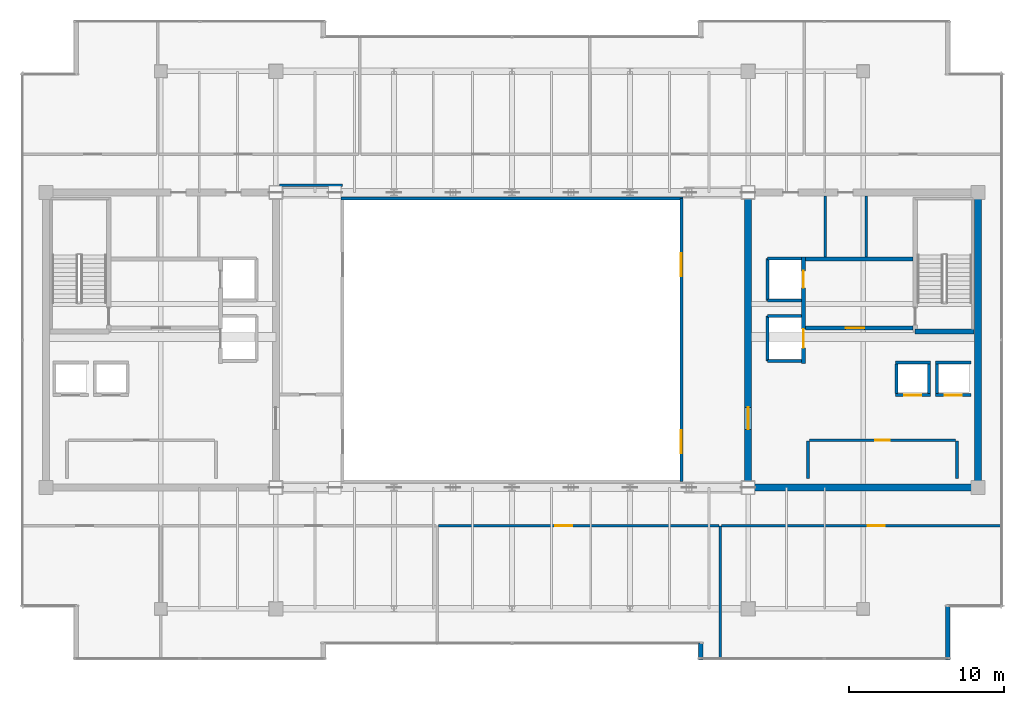
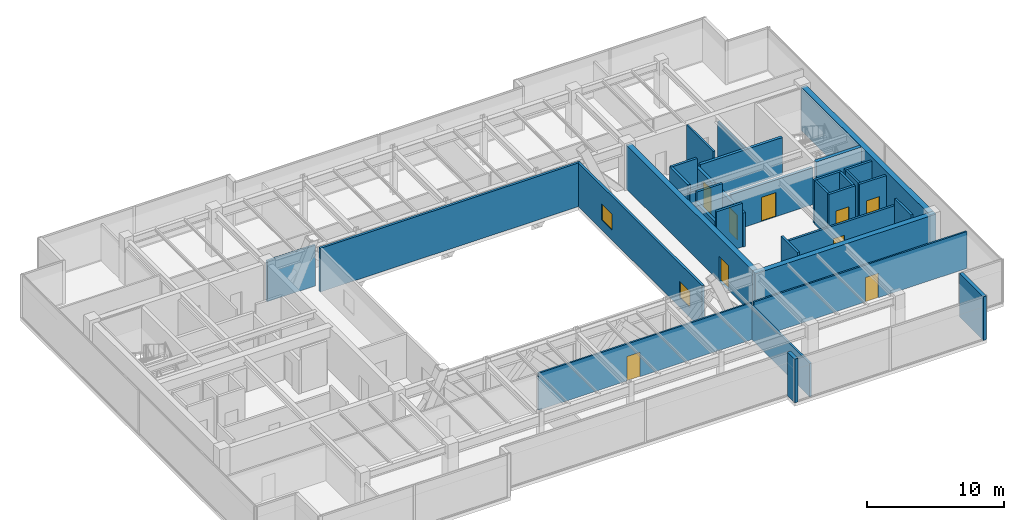
# One storey, part 27 of 32: 33 walls, 9 doors, 2 windows, 11 openings.
"""IFC4 building model written with IfcOpenShell, lengths in metres."""

from ifc_helpers import new_model, si_unit, direction, frame, frame_2d, origin, place, context, subcontext, project, spatial, rectangle, extrude, source, transform, mapped, material, layer, layer_set, type_object, type_shapes, element, fill, save


model = new_model("IFC4")

# Units and contexts
model_context = context("Model", 3, precision=1e-05, world=origin(), true_north=direction((0.0, 1.0)))
body_context = subcontext(model_context, "Body", "Model", "MODEL_VIEW")
ifc_project = project(units=[si_unit("LENGTHUNIT", "METRE"), si_unit("AREAUNIT", "SQUARE_METRE"), si_unit("VOLUMEUNIT", "CUBIC_METRE"), si_unit("PLANEANGLEUNIT", "RADIAN"), si_unit("MASSUNIT", "GRAM", prefix="KILO")], contexts=[model_context])

# Site, building, storey
site_placement = place(None, origin())
site = spatial("IfcSite", under=ifc_project, at=site_placement, CompositionType="ELEMENT")
building_placement = place(site_placement, origin())
building = spatial("IfcBuilding", under=site, at=building_placement, Name="Haelvirn Gate Laboratories", CompositionType="ELEMENT")
storey_placement = place(building_placement, frame((0.0, 0.0, 301.800048828125)))
storey = spatial("IfcBuildingStorey", under=building, at=storey_placement, Name="L72", CompositionType="ELEMENT", Elevation=301.800048828125)

# Walls
ifc_material_1 = material(Name="Thermally-broken bronze aluminium rainscreen & mineral wool", Category="aluminium")
ifc_layer_1 = layer(ifc_material_1, 0.280029296875, Name="EW-TERR-280")
ifc_layer_set_1 = layer_set([ifc_layer_1], Name="Thermally-broken bronze aluminium rainscreen & mineral wool")
wall_type_1 = type_object("IfcWallType", Name="EW-TERR-280", PredefinedType="STANDARD", material=ifc_layer_set_1)
wall_1_placement = place(storey_placement, frame((49.5400390625, 4.79296875, 0.0), z_axis=(0.0, 0.0, 1.0), x_axis=(0.0, -1.0, 0.0)))
element("IfcWall", 1, at=wall_1_placement, inside=storey, type_object=wall_type_1, Name="L72 Atrium Recess Bronze Return Wall 03", PredefinedType="STANDARD", context=body_context, shape_type="SweptSolid", body=[
    extrude(rectangle(XDim=1.093017578125, YDim=0.280029296875, at=frame_2d((0.54638671875, 0.0))), origin(), (0.0, 0.0, 1.0), 3.89990234375),
])
wall_2_placement = place(storey_placement, frame((65.4599609375, 3.699951171875, 0.0), z_axis=(0.0, 0.0, 1.0), x_axis=(0.0, 1.0, 0.0)))
element("IfcWall", 2, at=wall_2_placement, inside=storey, type_object=wall_type_1, Name="L72 Atrium Recess Bronze Return Wall 05", PredefinedType="STANDARD", context=body_context, shape_type="SweptSolid", body=[
    extrude(rectangle(XDim=3.488037109375, YDim=0.280029296875, at=frame_2d((1.744140625, 0.0))), origin(), (0.0, 0.0, 1.0), 3.89990234375),
])
ifc_material_2 = material(Name="Double-layer acoustic gypsum laboratory partition", Category="gypsum")
ifc_layer_2 = layer(ifc_material_2, 0.159912109375, Name="IW-ACOUST-160")
ifc_layer_set_2 = layer_set([ifc_layer_2], Name="Double-layer acoustic gypsum laboratory partition")
wall_type_2 = type_object("IfcWallType", Name="IW-ACOUST-160", PredefinedType="PARTITIONING", material=ifc_layer_set_2)
wall_3_placement = place(storey_placement, frame((50.800048828125, 3.81005859375, 0.0), z_axis=(0.0, 0.0, 1.0), x_axis=(0.0, 1.0, 0.0)))
element("IfcWall", 3, at=wall_3_placement, inside=storey, type_object=wall_type_2, Name="L72 Interior Wall IW-L72-SDIV-03", PredefinedType="PARTITIONING", context=body_context, shape_type="SweptSolid", body=[
    extrude(rectangle(XDim=8.530029296875, YDim=0.159912109375, at=frame_2d((4.26513671875, 0.0))), origin(), (0.0, 0.0, 1.0), 2.98486328125),
])
ifc_material_3 = material(Name="Fire-rated acoustic gypsum board partition", Category="gypsum")
ifc_layer_3 = layer(ifc_material_3, 0.175048828125, Name="IW-ACOUST-180")
ifc_layer_set_3 = layer_set([ifc_layer_3], Name="Fire-rated acoustic gypsum board partition")
wall_type_3 = type_object("IfcWallType", Name="IW-ACOUST-180", PredefinedType="PARTITIONING", material=ifc_layer_set_3)
wall_4_placement = place(storey_placement, frame((22.425048828125, 34.260009765625, 0.0), z_axis=(0.0, 0.0, 1.0), x_axis=(1.0, 0.0, 0.0)))
element("IfcWall", 4, at=wall_4_placement, inside=storey, type_object=wall_type_3, Name="L72 Interior Wall IW-L72-WPOD-N", PredefinedType="PARTITIONING", context=body_context, shape_type="SweptSolid", body=[
    extrude(rectangle(XDim=4.074951171875, YDim=0.175048828125, at=frame_2d((2.03759765625, 0.0))), origin(), (0.0, 0.0, 1.0), 3.635009765625),
])

# Wall, openings, windows
ifc_material_4 = material(Name="Tempered fire-rated borosilicate glass & anodised aluminium", Category="aluminium")
ifc_layer_4 = layer(ifc_material_4, 0.195068359375, Name="IW-GLAZ-200")
ifc_layer_set_4 = layer_set([ifc_layer_4], Name="Tempered fire-rated borosilicate glass & anodised aluminium")
wall_type_4 = type_object("IfcWallType", Name="IW-GLAZ-200", PredefinedType="SOLIDWALL", material=ifc_layer_set_4)
wall_5_placement = place(storey_placement, frame((48.300048828125, 15.199951171875, 0.0), z_axis=(0.0, 0.0, 1.0), x_axis=(0.0, 1.0, 0.0)))
wall_5 = element("IfcWall", 5, at=wall_5_placement, inside=storey, type_object=wall_type_4, Name="L72 Interior Wall IW-L72-ATRIUM-E", PredefinedType="SOLIDWALL", context=body_context, shape_type="SweptSolid", body=[
    extrude(rectangle(XDim=18.199951171875, YDim=0.195068359375, at=frame_2d((9.10009765625, 0.0))), origin(), (0.0, 0.0, 1.0), 3.89990234375),
])
opening_1_placement = place(wall_5_placement, frame((1.800048828125, 0.0, 0.89990234375)))
opening_1 = element("IfcOpeningElement", 6, at=opening_1_placement, cuts=wall_5, Name="Opening W5", PredefinedType="OPENING", context=body_context, shape_type="SweptSolid", body=[
    extrude(rectangle(XDim=1.5, YDim=1.39990234375, at=frame_2d((0.75, 0.699951171875))), frame((0.0, 0.107421875, 0.0), z_axis=(0.0, -1.0, 0.0), x_axis=(1.0, 0.0, 0.0)), (0.0, 0.0, 1.0), 0.215087890625),
])
opening_2_placement = place(wall_5_placement, frame((13.199951171875, 0.0, 0.89990234375)))
opening_2 = element("IfcOpeningElement", 7, at=opening_2_placement, cuts=wall_5, Name="Opening W5", PredefinedType="OPENING", context=body_context, shape_type="SweptSolid", body=[
    extrude(rectangle(XDim=1.5, YDim=1.39990234375, at=frame_2d((0.75, 0.699951171875))), frame((0.0, 0.107421875, 0.0), z_axis=(0.0, -1.0, 0.0), x_axis=(1.0, 0.0, 0.0)), (0.0, 0.0, 1.0), 0.215087890625),
])
ifc_material_5 = material(Name="Fire-rated EI 120 borosilicate atrium vision glazing", Category="glass")
window_type = type_object("IfcWindowType", Name="WN-ATR-1500", PartitioningType="SINGLE_PANEL", PredefinedType="WINDOW", material=ifc_material_5)
shared_shape_1 = source(origin(), body_context, "Body", "SweptSolid", [
    extrude(rectangle(XDim=1.5, YDim=1.39990234375, at=frame_2d((0.75, 0.699951171875))), frame((0.0, 0.030029296875, 0.0), z_axis=(0.0, -1.0, 0.0), x_axis=(1.0, 0.0, 0.0)), (0.0, 0.0, 1.0), 0.06005859375),
])
type_shapes(window_type, [shared_shape_1])
window_1_placement = place(opening_1_placement, origin())
window_1 = element("IfcWindow", 8, at=window_1_placement, inside=storey, type_object=window_type, Name="L72 Atrium Observation Window 1", OverallHeight=1.39990234375, OverallWidth=1.5, PartitioningType="SINGLE_PANEL", PredefinedType="WINDOW", context=body_context, shape_type="MappedRepresentation", body=[
    mapped(shared_shape_1, transform((0.0, 0.0, 0.0), scale=1.0)),
])
fill(opening_1, window_1)
window_2_placement = place(opening_2_placement, origin())
window_2 = element("IfcWindow", 9, at=window_2_placement, inside=storey, type_object=window_type, Name="L72 Atrium Observation Window 2", OverallHeight=1.39990234375, OverallWidth=1.5, PartitioningType="SINGLE_PANEL", PredefinedType="WINDOW", context=body_context, shape_type="MappedRepresentation", body=[
    mapped(shared_shape_1, transform((0.0, 0.0, 0.0), scale=1.0)),
])
fill(opening_2, window_2)

# Wall
wall_6_placement = place(storey_placement, frame((26.39990234375, 33.39990234375, 0.0), z_axis=(0.0, 0.0, 1.0), x_axis=(1.0, 0.0, 0.0)))
element("IfcWall", 10, at=wall_6_placement, inside=storey, type_object=wall_type_4, Name="L72 Interior Wall IW-L72-ATRIUM-N", PredefinedType="SOLIDWALL", context=body_context, shape_type="SweptSolid", body=[
    extrude(rectangle(XDim=22.0, YDim=0.195068359375, at=frame_2d((11.0, 0.0))), origin(), (0.0, 0.0, 1.0), 3.89990234375),
])

# Wall, opening, door
ifc_material_6 = material(Name="Acoustic mineral-wool gypsum board partition", Category="gypsum")
ifc_layer_5 = layer(ifc_material_6, 0.139892578125, Name="IW-PART-140")
ifc_layer_set_5 = layer_set([ifc_layer_5], Name="Acoustic mineral-wool gypsum board partition")
wall_type_5 = type_object("IfcWallType", Name="IW-PART-140", PredefinedType="PARTITIONING", material=ifc_layer_set_5)
wall_7_placement = place(storey_placement, frame((32.679931640625, 12.340087890625, 0.0), z_axis=(0.0, 0.0, 1.0), x_axis=(1.0, 0.0, 0.0)))
wall_7 = element("IfcWall", 11, at=wall_7_placement, inside=storey, type_object=wall_type_5, Name="L72 Interior Wall IW-L72-SCORR-03", PredefinedType="PARTITIONING", context=body_context, shape_type="SweptSolid", body=[
    extrude(rectangle(XDim=18.0400390625, YDim=0.139892578125, at=frame_2d((9.02001953125, 0.0))), origin(), (0.0, 0.0, 1.0), 3.296875),
])
opening_3_placement = place(wall_7_placement, frame((7.49560546875, 0.0, 0.0)))
opening_3 = element("IfcOpeningElement", 12, at=opening_3_placement, cuts=wall_7, Name="Opening D1", PredefinedType="OPENING", context=body_context, shape_type="SweptSolid", body=[
    extrude(rectangle(XDim=1.10009765625, YDim=2.179931640625, at=frame_2d((0.550048828125, 1.08984375))), frame((0.0, 0.080078125, 0.0), z_axis=(0.0, -1.0, 0.0), x_axis=(1.0, 0.0, 0.0)), (0.0, 0.0, 1.0), 0.159912109375),
])
ifc_material_7 = material(Name="Vision-panel acoustic solid-core timber lab door", Category="wood")
door_type_1 = type_object("IfcDoorType", Name="DR-LAB-1100", OperationType="NOTDEFINED", PredefinedType="DOOR", material=ifc_material_7)
shared_shape_2 = source(origin(), body_context, "Body", "SweptSolid", [
    extrude(rectangle(XDim=1.10009765625, YDim=2.179931640625, at=frame_2d((0.550048828125, 1.08984375))), frame((0.0, 0.02490234375, 0.0), z_axis=(0.0, -1.0, 0.0), x_axis=(1.0, 0.0, 0.0)), (0.0, 0.0, 1.0), 0.050048828125),
])
type_shapes(door_type_1, [shared_shape_2])
door_1_placement = place(opening_3_placement, origin())
door_1 = element("IfcDoor", 13, at=door_1_placement, inside=storey, type_object=door_type_1, Name="L72 Bioinformatics Dry-Lab Workspace Door S3", OperationType="SINGLE_SWING_LEFT", OverallHeight=2.179931640625, OverallWidth=1.10009765625, PredefinedType="DOOR", context=body_context, shape_type="MappedRepresentation", body=[
    mapped(shared_shape_2, transform((0.0, 0.0, 0.0), scale=1.0)),
])
fill(opening_3, door_1)

wall_8_placement = place(storey_placement, frame((50.8798828125, 12.340087890625, 0.0), z_axis=(0.0, 0.0, 1.0), x_axis=(1.0, 0.0, 0.0)))
wall_8 = element("IfcWall", 14, at=wall_8_placement, inside=storey, type_object=wall_type_5, Name="L72 Interior Wall IW-L72-SCORR-04", PredefinedType="PARTITIONING", context=body_context, shape_type="SweptSolid", body=[
    extrude(rectangle(XDim=18.010009765625, YDim=0.139892578125, at=frame_2d((9.0048828125, 0.0))), origin(), (0.0, 0.0, 1.0), 3.296875),
])
opening_4_placement = place(wall_8_placement, frame((9.427490234375, 0.0, 0.0)))
opening_4 = element("IfcOpeningElement", 15, at=opening_4_placement, cuts=wall_8, Name="Opening D1", PredefinedType="OPENING", context=body_context, shape_type="SweptSolid", body=[
    extrude(rectangle(XDim=1.10009765625, YDim=2.179931640625, at=frame_2d((0.550048828125, 1.08984375))), frame((0.0, 0.080078125, 0.0), z_axis=(0.0, -1.0, 0.0), x_axis=(1.0, 0.0, 0.0)), (0.0, 0.0, 1.0), 0.159912109375),
])
door_2_placement = place(opening_4_placement, origin())
door_2 = element("IfcDoor", 16, at=door_2_placement, inside=storey, type_object=door_type_1, Name="L72 Translational Data Office Door S4", OperationType="SINGLE_SWING_RIGHT", OverallHeight=2.179931640625, OverallWidth=1.10009765625, PredefinedType="DOOR", context=body_context, shape_type="MappedRepresentation", body=[
    mapped(shared_shape_2, transform((0.0, 0.0, 0.0), scale=1.0)),
])
fill(opening_4, door_2)

# Walls
ifc_material_8 = material(Name="Cement-board restroom plumbing chase wall", Category="gypsum")
ifc_layer_6 = layer(ifc_material_8, 0.155029296875, Name="IW-PLUMB-160")
ifc_layer_set_6 = layer_set([ifc_layer_6], Name="Cement-board restroom plumbing chase wall")
wall_type_6 = type_object("IfcWallType", Name="IW-PLUMB-160", PredefinedType="PLUMBINGWALL", material=ifc_layer_set_6)
wall_9_placement = place(storey_placement, frame((60.18994140625, 29.64990234375, 0.0), z_axis=(0.0, 0.0, 1.0), x_axis=(0.0, 1.0, 0.0)))
element("IfcWall", 17, at=wall_9_placement, inside=storey, type_object=wall_type_6, Name="L72 Interior Wall IW-L72-E-CDIV-0", PredefinedType="PLUMBINGWALL", context=body_context, shape_type="SweptSolid", body=[
    extrude(rectangle(XDim=3.93017578125, YDim=0.155029296875, at=frame_2d((1.965087890625, 0.0))), origin(), (0.0, 0.0, 1.0), 3.296875),
])
wall_10_placement = place(storey_placement, frame((57.56005859375, 29.64990234375, 0.0), z_axis=(0.0, 0.0, 1.0), x_axis=(0.0, 1.0, 0.0)))
element("IfcWall", 18, at=wall_10_placement, inside=storey, type_object=wall_type_6, Name="L72 Interior Wall IW-L72-E-CDIV-1", PredefinedType="PLUMBINGWALL", context=body_context, shape_type="SweptSolid", body=[
    extrude(rectangle(XDim=3.93017578125, YDim=0.155029296875, at=frame_2d((1.965087890625, 0.0))), origin(), (0.0, 0.0, 1.0), 3.89990234375),
])
ifc_material_9 = material(Name="Concrete C40/50", Category="concrete")
ifc_layer_7 = layer(ifc_material_9, 0.179931640625, Name="IW-SHAFT-180")
ifc_layer_set_7 = layer_set([ifc_layer_7], Name="Concrete C40/50")
wall_type_7 = type_object("IfcWallType", Name="IW-SHAFT-180", PredefinedType="SOLIDWALL", material=ifc_layer_set_7)
for number, where, z_axis, x_axis, name in (
    (19, (64.75, 20.85009765625, 0.0), (0.0, 0.0, 1.0), (0.0, 1.0, 0.0), "L72 Interior Wall IW-L72-PL11-SD"),
    (20, (62.14990234375, 20.85009765625, 0.0), (0.0, 0.0, 1.0), (0.0, 1.0, 0.0), "L72 Interior Wall IW-L72-PL12-SD"),
    (21, (64.25, 20.85009765625, 0.0), (0.0, 0.0, 1.0), (0.0, 1.0, 0.0), "L72 Interior Wall IW-L72-PL12-SDE"),
):
    element("IfcWall", number, at=place(storey_placement, frame(where, z_axis=z_axis, x_axis=x_axis)), inside=storey, type_object=wall_type_7, Name=name, PredefinedType="SOLIDWALL", context=body_context, shape_type="SweptSolid", body=[
        extrude(rectangle(XDim=1.89990234375, YDim=0.179931640625, at=frame_2d((0.949951171875, 0.0))), origin(), (0.0, 0.0, 1.0), 3.89990234375),
    ])

# Wall, opening, door
wall_11_placement = place(storey_placement, frame((56.550048828125, 17.85009765625, 0.0), z_axis=(0.0, 0.0, 1.0), x_axis=(1.0, 0.0, 0.0)))
wall_11 = element("IfcWall", 22, at=wall_11_placement, inside=storey, type_object=wall_type_7, Name="L72 Interior Wall IW-L72-E-FREED-HN-1", PredefinedType="SOLIDWALL", context=body_context, shape_type="SweptSolid", body=[
    extrude(rectangle(XDim=9.39990234375, YDim=0.179931640625, at=frame_2d((4.699951171875, 0.0))), origin(), (0.0, 0.0, 1.0), 3.296875),
])
opening_5_placement = place(wall_11_placement, frame((4.22509765625, 0.0, 0.0)))
opening_5 = element("IfcOpeningElement", 23, at=opening_5_placement, cuts=wall_11, Name="Opening FD4", PredefinedType="OPENING", context=body_context, shape_type="SweptSolid", body=[
    extrude(rectangle(XDim=0.949951171875, YDim=2.14990234375, at=frame_2d((0.47509765625, 1.074951171875))), frame((0.0, 0.10009765625, 0.0), z_axis=(0.0, -1.0, 0.0), x_axis=(1.0, 0.0, 0.0)), (0.0, 0.0, 1.0), 0.199951171875),
])
ifc_material_10 = material(Name="Fire-rated steel SM355 core service door", Category="steel")
door_type_2 = type_object("IfcDoorType", Name="DR-FD-950", OperationType="NOTDEFINED", PredefinedType="DOOR", material=ifc_material_10)
shared_shape_3 = source(origin(), body_context, "Body", "SweptSolid", [
    extrude(rectangle(XDim=0.949951171875, YDim=2.14990234375, at=frame_2d((0.47509765625, 1.074951171875))), frame((0.0, 0.02490234375, 0.0), z_axis=(0.0, -1.0, 0.0), x_axis=(1.0, 0.0, 0.0)), (0.0, 0.0, 1.0), 0.050048828125),
])
type_shapes(door_type_2, [shared_shape_3])
door_3_placement = place(opening_5_placement, origin())
door_3 = element("IfcDoor", 24, at=door_3_placement, inside=storey, type_object=door_type_2, Name="L72 Core Metrology & Calibration Laboratory Door", OperationType="SINGLE_SWING_LEFT", OverallHeight=2.14990234375, OverallWidth=0.949951171875, PredefinedType="DOOR", context=body_context, shape_type="MappedRepresentation", body=[
    mapped(shared_shape_3, transform((0.0, 0.0, 0.0), scale=1.0)),
])
fill(opening_5, door_3)

# Walls
for number, where, z_axis, x_axis, name in (
    (25, (56.4599609375, 15.39990234375, 0.0), (0.0, 0.0, 1.0), (0.0, 1.0, 0.0), "L72 Interior Wall IW-L72-E-FREED-HE-1"),
    (26, (66.0400390625, 15.39990234375, 0.0), (0.0, 0.0, 1.0), (0.0, 1.0, 0.0), "L72 Interior Wall IW-L72-E-FREED-HW-1"),
):
    element("IfcWall", number, at=place(storey_placement, frame(where, z_axis=z_axis, x_axis=x_axis)), inside=storey, type_object=wall_type_7, Name=name, PredefinedType="SOLIDWALL", context=body_context, shape_type="SweptSolid", body=[
        extrude(rectangle(XDim=2.400146484375, YDim=0.179931640625, at=frame_2d((1.2001953125, 0.0))), origin(), (0.0, 0.0, 1.0), 3.89990234375),
    ])

# Wall, opening, door
ifc_layer_8 = layer(ifc_material_9, 0.199951171875, Name="IW-SHAFT-200")
ifc_layer_set_8 = layer_set([ifc_layer_8], Name="Concrete C40/50")
wall_type_8 = type_object("IfcWallType", Name="IW-SHAFT-200", PredefinedType="SOLIDWALL", material=ifc_layer_set_8)
wall_12_placement = place(storey_placement, frame((64.669921875, 20.75, 0.0), z_axis=(0.0, 0.0, 1.0), x_axis=(1.0, 0.0, 0.0)))
wall_12 = element("IfcWall", 27, at=wall_12_placement, inside=storey, type_object=wall_type_8, Name="L72 Interior Wall IW-L72-PL11-FR", PredefinedType="SOLIDWALL", context=body_context, shape_type="SweptSolid", body=[
    extrude(rectangle(XDim=2.260009765625, YDim=0.199951171875, at=frame_2d((1.1298828125, 0.0))), origin(), (0.0, 0.0, 1.0), 3.89990234375),
])
opening_6_placement = place(wall_12_placement, frame((0.580078125, 0.0, 0.0)))
opening_6 = element("IfcOpeningElement", 28, at=opening_6_placement, cuts=wall_12, Name="Opening LD2", PredefinedType="OPENING", context=body_context, shape_type="SweptSolid", body=[
    extrude(rectangle(XDim=1.10009765625, YDim=2.219970703125, at=frame_2d((0.550048828125, 1.10986328125))), frame((0.0, 0.10986328125, 0.0), z_axis=(0.0, -1.0, 0.0), x_axis=(1.0, 0.0, 0.0)), (0.0, 0.0, 1.0), 0.219970703125),
])
ifc_material_11 = material(Name="Bronze stainless 316L sliding lift landing door")
door_type_3 = type_object("IfcDoorType", Name="DR-LD-1100", OperationType="NOTDEFINED", PredefinedType="USERDEFINED", material=ifc_material_11)
shared_shape_4 = source(origin(), body_context, "Body", "SweptSolid", [
    extrude(rectangle(XDim=1.10009765625, YDim=2.219970703125, at=frame_2d((0.550048828125, 1.10986328125))), frame((0.0, 0.02490234375, 0.0), z_axis=(0.0, -1.0, 0.0), x_axis=(1.0, 0.0, 0.0)), (0.0, 0.0, 1.0), 0.050048828125),
])
type_shapes(door_type_3, [shared_shape_4])
door_4_placement = place(opening_6_placement, origin())
door_4 = element("IfcDoor", 29, at=door_4_placement, inside=storey, type_object=door_type_3, Name="L72 Passenger Lift PL11 Landing Door", ObjectType="LANDING_DOOR", OperationType="SLIDING_TO_LEFT", OverallHeight=2.219970703125, OverallWidth=1.10009765625, PredefinedType="USERDEFINED", context=body_context, shape_type="MappedRepresentation", body=[
    mapped(shared_shape_4, transform((0.0, 0.0, 0.0), scale=1.0)),
])
fill(opening_6, door_4)

# Wall
wall_13_placement = place(storey_placement, frame((64.669921875, 22.85009765625, 0.0), z_axis=(0.0, 0.0, 1.0), x_axis=(1.0, 0.0, 0.0)))
element("IfcWall", 30, at=wall_13_placement, inside=storey, type_object=wall_type_8, Name="L72 Interior Wall IW-L72-PL11-BK", PredefinedType="SOLIDWALL", context=body_context, shape_type="SweptSolid", body=[
    extrude(rectangle(XDim=2.260009765625, YDim=0.199951171875, at=frame_2d((1.1298828125, 0.0))), origin(), (0.0, 0.0, 1.0), 3.89990234375),
])

# Wall, opening, door
wall_14_placement = place(storey_placement, frame((62.070068359375, 20.75, 0.0), z_axis=(0.0, 0.0, 1.0), x_axis=(1.0, 0.0, 0.0)))
wall_14 = element("IfcWall", 31, at=wall_14_placement, inside=storey, type_object=wall_type_8, Name="L72 Interior Wall IW-L72-PL12-FR", PredefinedType="SOLIDWALL", context=body_context, shape_type="SweptSolid", body=[
    extrude(rectangle(XDim=2.260009765625, YDim=0.199951171875, at=frame_2d((1.1298828125, 0.0))), origin(), (0.0, 0.0, 1.0), 3.89990234375),
])
opening_7_placement = place(wall_14_placement, frame((0.580078125, 0.0, 0.0)))
opening_7 = element("IfcOpeningElement", 32, at=opening_7_placement, cuts=wall_14, Name="Opening LD2", PredefinedType="OPENING", context=body_context, shape_type="SweptSolid", body=[
    extrude(rectangle(XDim=1.10009765625, YDim=2.219970703125, at=frame_2d((0.550048828125, 1.10986328125))), frame((0.0, 0.10986328125, 0.0), z_axis=(0.0, -1.0, 0.0), x_axis=(1.0, 0.0, 0.0)), (0.0, 0.0, 1.0), 0.219970703125),
])
door_5_placement = place(opening_7_placement, origin())
door_5 = element("IfcDoor", 33, at=door_5_placement, inside=storey, type_object=door_type_3, Name="L72 Passenger Lift PL12 Landing Door", ObjectType="LANDING_DOOR", OperationType="SLIDING_TO_RIGHT", OverallHeight=2.219970703125, OverallWidth=1.10009765625, PredefinedType="USERDEFINED", context=body_context, shape_type="MappedRepresentation", body=[
    mapped(shared_shape_4, transform((0.0, 0.0, 0.0), scale=1.0)),
])
fill(opening_7, door_5)

# Walls
wall_15_placement = place(storey_placement, frame((62.070068359375, 22.85009765625, 0.0), z_axis=(0.0, 0.0, 1.0), x_axis=(1.0, 0.0, 0.0)))
element("IfcWall", 34, at=wall_15_placement, inside=storey, type_object=wall_type_8, Name="L72 Interior Wall IW-L72-PL12-BK", PredefinedType="SOLIDWALL", context=body_context, shape_type="SweptSolid", body=[
    extrude(rectangle(XDim=2.260009765625, YDim=0.199951171875, at=frame_2d((1.1298828125, 0.0))), origin(), (0.0, 0.0, 1.0), 3.89990234375),
])
wall_16_placement = place(storey_placement, frame((53.85009765625, 26.85009765625, 0.0), z_axis=(0.0, 0.0, 1.0), x_axis=(0.0, 1.0, 0.0)))
element("IfcWall", 35, at=wall_16_placement, inside=storey, type_object=wall_type_8, Name="L72 Interior Wall IW-L72-FL2-BK", PredefinedType="SOLIDWALL", context=body_context, shape_type="SweptSolid", body=[
    extrude(rectangle(XDim=2.699951171875, YDim=0.199951171875, at=frame_2d((1.35009765625, 0.0))), origin(), (0.0, 0.0, 1.0), 3.89990234375),
])
wall_17_placement = place(storey_placement, frame((53.85009765625, 29.550048828125, 0.0), z_axis=(0.0, 0.0, 1.0), x_axis=(1.0, 0.0, 0.0)))
element("IfcWall", 36, at=wall_17_placement, inside=storey, type_object=wall_type_8, Name="L72 Interior Wall IW-L72-FL2-N", PredefinedType="SOLIDWALL", context=body_context, shape_type="SweptSolid", body=[
    extrude(rectangle(XDim=2.18994140625, YDim=0.199951171875, at=frame_2d((1.094970703125, 0.0))), origin(), (0.0, 0.0, 1.0), 3.89990234375),
])
wall_18_placement = place(storey_placement, frame((53.85009765625, 26.85009765625, 0.0), z_axis=(0.0, 0.0, 1.0), x_axis=(1.0, 0.0, 0.0)))
element("IfcWall", 37, at=wall_18_placement, inside=storey, type_object=wall_type_8, Name="L72 Interior Wall IW-L72-FL2-S", PredefinedType="SOLIDWALL", context=body_context, shape_type="SweptSolid", body=[
    extrude(rectangle(XDim=2.18994140625, YDim=0.199951171875, at=frame_2d((1.094970703125, 0.0))), origin(), (0.0, 0.0, 1.0), 3.296875),
])
wall_19_placement = place(storey_placement, frame((53.85009765625, 22.949951171875, 0.0), z_axis=(0.0, 0.0, 1.0), x_axis=(0.0, 1.0, 0.0)))
element("IfcWall", 38, at=wall_19_placement, inside=storey, type_object=wall_type_8, Name="L72 Interior Wall IW-L72-SL2-BK", PredefinedType="SOLIDWALL", context=body_context, shape_type="SweptSolid", body=[
    extrude(rectangle(XDim=2.900146484375, YDim=0.199951171875, at=frame_2d((1.4501953125, 0.0))), origin(), (0.0, 0.0, 1.0), 3.034912109375),
])
for number, where, z_axis, x_axis, name in (
    (39, (53.85009765625, 25.85009765625, 0.0), (0.0, 0.0, 1.0), (1.0, 0.0, 0.0), "L72 Interior Wall IW-L72-SL2-N"),
    (40, (53.85009765625, 22.949951171875, 0.0), (0.0, 0.0, 1.0), (1.0, 0.0, 0.0), "L72 Interior Wall IW-L72-SL2-S"),
):
    element("IfcWall", number, at=place(storey_placement, frame(where, z_axis=z_axis, x_axis=x_axis)), inside=storey, type_object=wall_type_8, Name=name, PredefinedType="SOLIDWALL", context=body_context, shape_type="SweptSolid", body=[
        extrude(rectangle(XDim=2.18994140625, YDim=0.199951171875, at=frame_2d((1.094970703125, 0.0))), origin(), (0.0, 0.0, 1.0), 3.89990234375),
    ])

# Wall, opening, door
ifc_layer_9 = layer(ifc_material_9, 0.239990234375, Name="IW-SHAFT-240")
ifc_layer_set_9 = layer_set([ifc_layer_9], Name="Concrete C40/50")
wall_type_9 = type_object("IfcWallType", Name="IW-SHAFT-240", PredefinedType="SOLIDWALL", material=ifc_layer_set_9)
wall_20_placement = place(storey_placement, frame((56.280029296875, 25.080078125, 0.0), z_axis=(0.0, 0.0, 1.0), x_axis=(1.0, 0.0, 0.0)))
wall_20 = element("IfcWall", 41, at=wall_20_placement, inside=storey, type_object=wall_type_9, Name="L72 Interior Wall IW-L72-E-FF-S", PredefinedType="SOLIDWALL", context=body_context, shape_type="SweptSolid", body=[
    extrude(rectangle(XDim=6.919921875, YDim=0.239990234375, at=frame_2d((3.4599609375, 0.0))), origin(), (0.0, 0.0, 1.0), 3.296875),
])
opening_8_placement = place(wall_20_placement, frame((2.60009765625, 0.0, 0.0)))
opening_8 = element("IfcOpeningElement", 42, at=opening_8_placement, cuts=wall_20, Name="Opening FD2", PredefinedType="OPENING", context=body_context, shape_type="SweptSolid", body=[
    extrude(rectangle(XDim=1.199951171875, YDim=2.159912109375, at=frame_2d((0.60009765625, 1.080078125))), frame((0.0, 0.1298828125, 0.0), z_axis=(0.0, -1.0, 0.0), x_axis=(1.0, 0.0, 0.0)), (0.0, 0.0, 1.0), 0.260009765625),
])
ifc_material_12 = material(Name="Fire-rated steel SM355 compartment door", Category="steel")
door_type_4 = type_object("IfcDoorType", Name="DR-FD-1200", OperationType="NOTDEFINED", PredefinedType="DOOR", material=ifc_material_12)
shared_shape_5 = source(origin(), body_context, "Body", "SweptSolid", [
    extrude(rectangle(XDim=1.199951171875, YDim=2.159912109375, at=frame_2d((0.60009765625, 1.080078125))), frame((0.0, 0.02490234375, 0.0), z_axis=(0.0, -1.0, 0.0), x_axis=(1.0, 0.0, 0.0)), (0.0, 0.0, 1.0), 0.050048828125),
])
type_shapes(door_type_4, [shared_shape_5])
door_6_placement = place(opening_8_placement, origin())
door_6 = element("IfcDoor", 43, at=door_6_placement, inside=storey, type_object=door_type_4, Name="L72 East Firefighting Lobby Door", OperationType="SINGLE_SWING_LEFT", OverallHeight=2.159912109375, OverallWidth=1.199951171875, PredefinedType="DOOR", context=body_context, shape_type="MappedRepresentation", body=[
    mapped(shared_shape_5, transform((0.0, 0.0, 0.0), scale=1.0)),
])
fill(opening_8, door_6)

# Wall
wall_21_placement = place(storey_placement, frame((56.280029296875, 29.52001953125, 0.0), z_axis=(0.0, 0.0, 1.0), x_axis=(1.0, 0.0, 0.0)))
element("IfcWall", 44, at=wall_21_placement, inside=storey, type_object=wall_type_9, Name="L72 Interior Wall IW-L72-E-FF-N", PredefinedType="SOLIDWALL", context=body_context, shape_type="SweptSolid", body=[
    extrude(rectangle(XDim=6.919921875, YDim=0.239990234375, at=frame_2d((3.4599609375, 0.0))), origin(), (0.0, 0.0, 1.0), 3.296875),
])

# Wall, openings, doors
wall_22_placement = place(storey_placement, frame((56.159912109375, 22.800048828125, 0.0), z_axis=(0.0, 0.0, 1.0), x_axis=(0.0, 1.0, 0.0)))
wall_22 = element("IfcWall", 45, at=wall_22_placement, inside=storey, type_object=wall_type_9, Name="L72 Interior Wall IW-L72-E-FF-E", PredefinedType="SOLIDWALL", context=body_context, shape_type="SweptSolid", body=[
    extrude(rectangle(XDim=6.849853515625, YDim=0.239990234375, at=frame_2d((3.4248046875, 0.0))), origin(), (0.0, 0.0, 1.0), 3.034912109375),
])
opening_9_placement = place(wall_22_placement, frame((4.85009765625, 0.0, 0.0)))
opening_9 = element("IfcOpeningElement", 46, at=opening_9_placement, cuts=wall_22, Name="Opening LD2", PredefinedType="OPENING", context=body_context, shape_type="SweptSolid", body=[
    extrude(rectangle(XDim=1.10009765625, YDim=2.219970703125, at=frame_2d((0.550048828125, 1.10986328125))), frame((0.0, 0.1298828125, 0.0), z_axis=(0.0, -1.0, 0.0), x_axis=(1.0, 0.0, 0.0)), (0.0, 0.0, 1.0), 0.260009765625),
])
opening_10_placement = place(wall_22_placement, frame((1.0, 0.0, 0.0)))
opening_10 = element("IfcOpeningElement", 47, at=opening_10_placement, cuts=wall_22, Name="Opening LD1", PredefinedType="OPENING", context=body_context, shape_type="SweptSolid", body=[
    extrude(rectangle(XDim=1.199951171875, YDim=2.219970703125, at=frame_2d((0.60009765625, 1.10986328125))), frame((0.0, 0.1298828125, 0.0), z_axis=(0.0, -1.0, 0.0), x_axis=(1.0, 0.0, 0.0)), (0.0, 0.0, 1.0), 0.260009765625),
])
door_7_placement = place(opening_9_placement, origin())
door_7 = element("IfcDoor", 48, at=door_7_placement, inside=storey, type_object=door_type_3, Name="L72 Firefighting Lift FL2 Landing Door", ObjectType="LANDING_DOOR", OperationType="SLIDING_TO_RIGHT", OverallHeight=2.219970703125, OverallWidth=1.10009765625, PredefinedType="USERDEFINED", context=body_context, shape_type="MappedRepresentation", body=[
    mapped(shared_shape_4, transform((0.0, 0.0, 0.0), scale=1.0)),
])
fill(opening_9, door_7)
ifc_material_13 = material(Name="Stainless steel 316L sliding goods landing door", Category="steel")
door_type_5 = type_object("IfcDoorType", Name="DR-LD-1200", OperationType="NOTDEFINED", PredefinedType="USERDEFINED", material=ifc_material_13)
shared_shape_6 = source(origin(), body_context, "Body", "SweptSolid", [
    extrude(rectangle(XDim=1.199951171875, YDim=2.219970703125, at=frame_2d((0.60009765625, 1.10986328125))), frame((0.0, 0.02490234375, 0.0), z_axis=(0.0, -1.0, 0.0), x_axis=(1.0, 0.0, 0.0)), (0.0, 0.0, 1.0), 0.050048828125),
])
type_shapes(door_type_5, [shared_shape_6])
door_8_placement = place(opening_10_placement, origin())
door_8 = element("IfcDoor", 49, at=door_8_placement, inside=storey, type_object=door_type_5, Name="L72 Service Lift SL2 Landing Door", ObjectType="LANDING_DOOR", OperationType="SLIDING_TO_LEFT", OverallHeight=2.219970703125, OverallWidth=1.199951171875, PredefinedType="USERDEFINED", context=body_context, shape_type="MappedRepresentation", body=[
    mapped(shared_shape_6, transform((0.0, 0.0, 0.0), scale=1.0)),
])
fill(opening_10, door_8)

# Wall
ifc_material_14 = material(Name="Concrete C50/60", Category="concrete")
ifc_layer_10 = layer(ifc_material_14, 0.449951171875, Name="SW-CORE-450")
ifc_layer_set_10 = layer_set([ifc_layer_10], Name="Concrete C50/60")
wall_type_10 = type_object("IfcWallType", Name="SW-CORE-450", PredefinedType="SHEAR", material=ifc_layer_set_10)
wall_23_placement = place(storey_placement, frame((52.375, 14.800048828125, 0.0), z_axis=(0.0, 0.0, 1.0), x_axis=(1.0, 0.0, 0.0)))
element("IfcWall", 50, at=wall_23_placement, inside=storey, type_object=wall_type_10, Name="L72 E Core Shear Wall S", PredefinedType="SHEAR", context=body_context, shape_type="SweptSolid", body=[
    extrude(rectangle(XDim=15.25, YDim=0.449951171875, at=frame_2d((7.625, 0.0))), origin(), (0.0, 0.0, 1.0), 3.89990234375),
])

# Wall, opening, door
wall_24_placement = place(storey_placement, frame((52.60009765625, 15.02490234375, 0.0), z_axis=(0.0, 0.0, 1.0), x_axis=(0.0, 1.0, 0.0)))
wall_24 = element("IfcWall", 51, at=wall_24_placement, inside=storey, type_object=wall_type_10, Name="L72 E Core Shear Wall W", PredefinedType="SHEAR", context=body_context, shape_type="SweptSolid", body=[
    extrude(rectangle(XDim=18.550048828125, YDim=0.449951171875, at=frame_2d((9.27490234375, 0.0))), origin(), (0.0, 0.0, 1.0), 3.89990234375),
])
opening_11_placement = place(wall_24_placement, frame((3.52490234375, 0.0, 0.0)))
opening_11 = element("IfcOpeningElement", 52, at=opening_11_placement, cuts=wall_24, Name="Opening FD1", PredefinedType="OPENING", context=body_context, shape_type="SweptSolid", body=[
    extrude(rectangle(XDim=1.419921875, YDim=2.199951171875, at=frame_2d((0.7099609375, 1.10009765625))), frame((0.0, 0.23486328125, 0.0), z_axis=(0.0, -1.0, 0.0), x_axis=(1.0, 0.0, 0.0)), (0.0, 0.0, 1.0), 0.469970703125),
])
ifc_material_15 = material(Name="Fire-rated double steel SM355 lobby door", Category="steel")
door_type_6 = type_object("IfcDoorType", Name="DR-FD-1400", OperationType="NOTDEFINED", PredefinedType="DOOR", material=ifc_material_15)
shared_shape_7 = source(origin(), body_context, "Body", "SweptSolid", [
    extrude(rectangle(XDim=1.419921875, YDim=2.199951171875, at=frame_2d((0.7099609375, 1.10009765625))), frame((0.0, 0.02490234375, 0.0), z_axis=(0.0, -1.0, 0.0), x_axis=(1.0, 0.0, 0.0)), (0.0, 0.0, 1.0), 0.050048828125),
])
type_shapes(door_type_6, [shared_shape_7])
door_9_placement = place(opening_11_placement, origin())
door_9 = element("IfcDoor", 53, at=door_9_placement, inside=storey, type_object=door_type_6, Name="L72 East Core Lift Lobby Fire Door", OperationType="DOUBLE_DOOR_SINGLE_SWING", OverallHeight=2.199951171875, OverallWidth=1.419921875, PredefinedType="DOOR", context=body_context, shape_type="MappedRepresentation", body=[
    mapped(shared_shape_7, transform((0.0, 0.0, 0.0), scale=1.0)),
])
fill(opening_11, door_9)

# Walls
wall_25_placement = place(storey_placement, frame((67.39990234375, 15.02490234375, 0.0), z_axis=(0.0, 0.0, 1.0), x_axis=(0.0, 1.0, 0.0)))
element("IfcWall", 54, at=wall_25_placement, inside=storey, type_object=wall_type_10, Name="L72 E Core Shear Wall E", PredefinedType="SHEAR", context=body_context, shape_type="SweptSolid", body=[
    extrude(rectangle(XDim=18.550048828125, YDim=0.449951171875, at=frame_2d((9.27490234375, 0.0))), origin(), (0.0, 0.0, 1.0), 3.89990234375),
])
ifc_layer_11 = layer(ifc_material_14, 0.300048828125, Name="SW-STAIR-300")
ifc_layer_set_11 = layer_set([ifc_layer_11], Name="Concrete C50/60")
wall_type_11 = type_object("IfcWallType", Name="SW-STAIR-300", PredefinedType="SHEAR", material=ifc_layer_set_11)
wall_26_placement = place(storey_placement, frame((63.35009765625, 24.85009765625, 0.0), z_axis=(0.0, 0.0, 1.0), x_axis=(1.0, 0.0, 0.0)))
element("IfcWall", 55, at=wall_26_placement, inside=storey, type_object=wall_type_11, Name="L72 E Core Stair Shaft Structural Wall S", PredefinedType="SHEAR", context=body_context, shape_type="SweptSolid", body=[
    extrude(rectangle(XDim=3.7998046875, YDim=0.300048828125, at=frame_2d((1.89990234375, 0.0))), origin(), (0.0, 0.0, 1.0), 3.89990234375),
])

save(model, "model.ifc")
